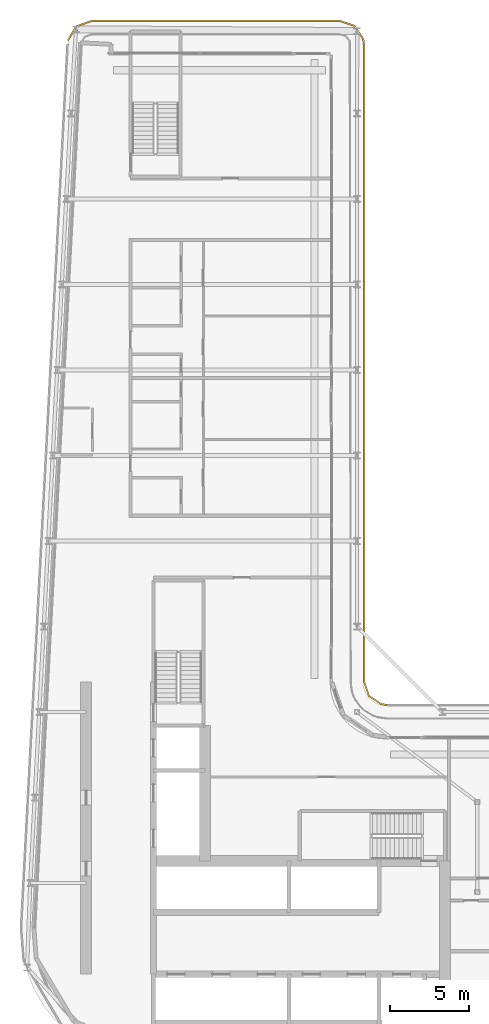
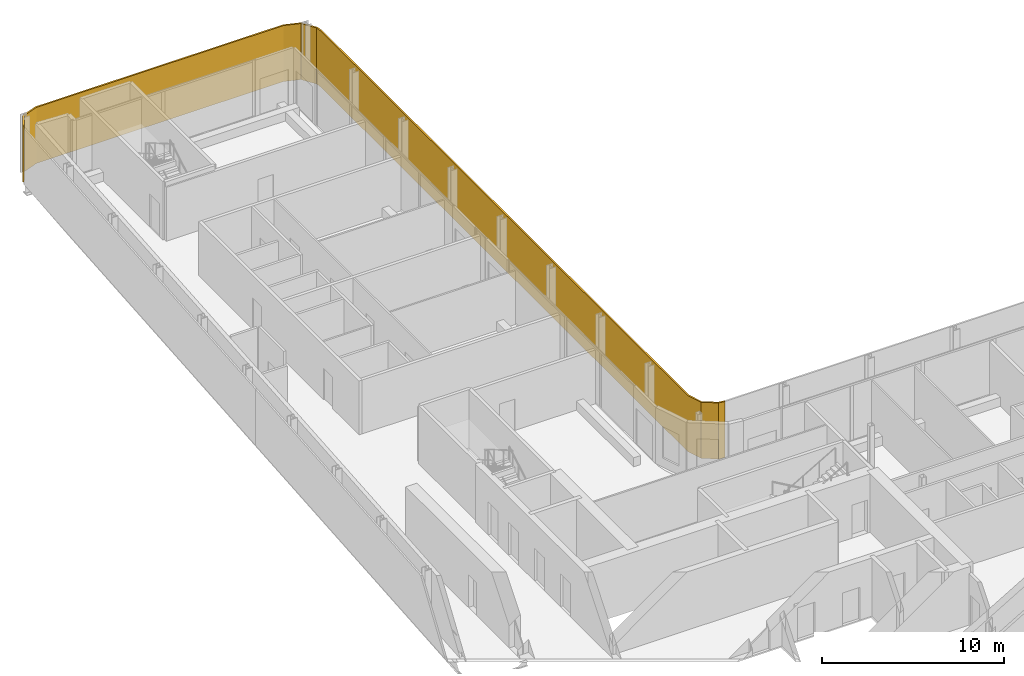
# One storey, part 19 of 21: 1 shading device.
"""IFC4 building model written with IfcOpenShell, lengths in metres."""

from ifc_helpers import new_model, si_unit, direction, frame, origin, place, context, subcontext, project, spatial, polyline, outline, extrude, material, layer, layer_set, type_object, element, save


model = new_model("IFC4")

# Units and contexts
model_context = context("Model", 3, precision=1e-05, world=origin(), true_north=direction((0.0, 1.0)))
body_context = subcontext(model_context, "Body", "Model", "MODEL_VIEW")
ifc_project = project(units=[si_unit("LENGTHUNIT", "METRE"), si_unit("AREAUNIT", "SQUARE_METRE"), si_unit("VOLUMEUNIT", "CUBIC_METRE"), si_unit("PLANEANGLEUNIT", "RADIAN"), si_unit("MASSUNIT", "GRAM", prefix="KILO")], contexts=[model_context])

# Site, building, storey
site_placement = place(None, origin())
site = spatial("IfcSite", under=ifc_project, at=site_placement, CompositionType="ELEMENT")
building_placement = place(site_placement, origin())
building = spatial("IfcBuilding", under=site, at=building_placement, Name="Kheshtan School and Residences Tower", CompositionType="ELEMENT")
storey_placement = place(building_placement, frame((0.0, 0.0, 220.10009765625)))
storey = spatial("IfcBuildingStorey", under=building, at=storey_placement, Name="L51", CompositionType="ELEMENT", Elevation=220.10009765625)

# Shading device
ifc_material = material(Name="Terracotta lattice, extruded ceramic", Category="masonry")
ifc_layer = layer(ifc_material, 0.10009765625)
ifc_layer_set = layer_set([ifc_layer], Name="Loggia screen, terracotta lattice")
shading_device_type = type_object("IfcShadingDeviceType", Name="Loggia screen, terracotta lattice", PredefinedType="USERDEFINED", material=ifc_layer_set)
shading_device_placement = place(storey_placement, origin())
element("IfcShadingDevice", 1, at=shading_device_placement, inside=storey, type_object=shading_device_type, Name="Screen L51 1", ObjectType="SCREEN", PredefinedType="USERDEFINED", context=body_context, shape_type="SweptSolid", body=[
    extrude(outline(polyline([(29.382080078125, 87.98388671875), (29.89990234375, 88.85693359375), (30.85498046875, 89.199951171875), (46.5, 89.199951171875), (47.4130859375, 88.889892578125), (47.948974609375, 88.087890625), (48.0, 87.699951171875), (48.0, 47.5), (48.31005859375, 46.5869140625), (49.112060546875, 46.051025390625), (49.5, 46.0), (49.512939453125, 46.09912109375), (49.14794921875, 46.14697265625), (48.39404296875, 46.65087890625), (48.10009765625, 47.51708984375), (48.10009765625, 87.70703125), (48.044921875, 88.1240234375), (47.47705078125, 88.97412109375), (46.51708984375, 89.300048828125), (30.837890625, 89.300048828125), (29.83203125, 88.93896484375), (29.2958984375, 88.034912109375), (29.382080078125, 87.98388671875)])), origin(), (0.0, 0.0, 1.0), 3.75),
])

save(model, "model.ifc")
